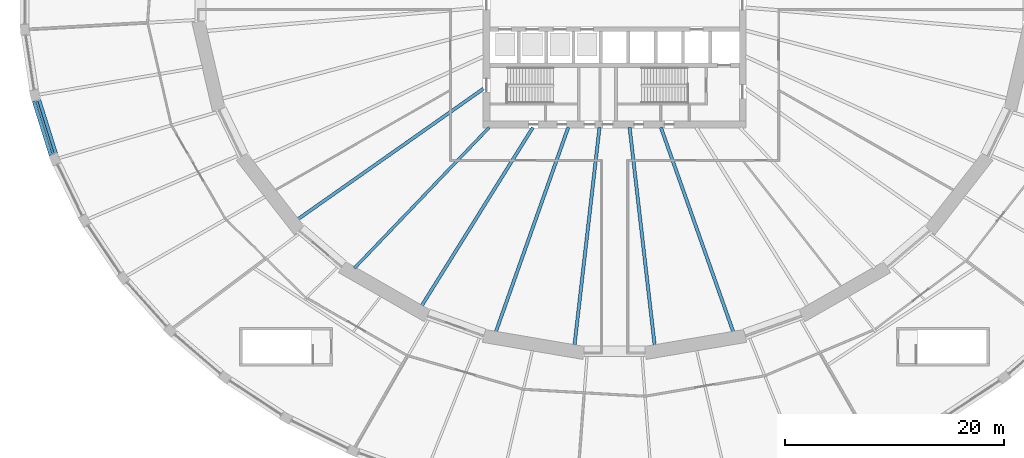
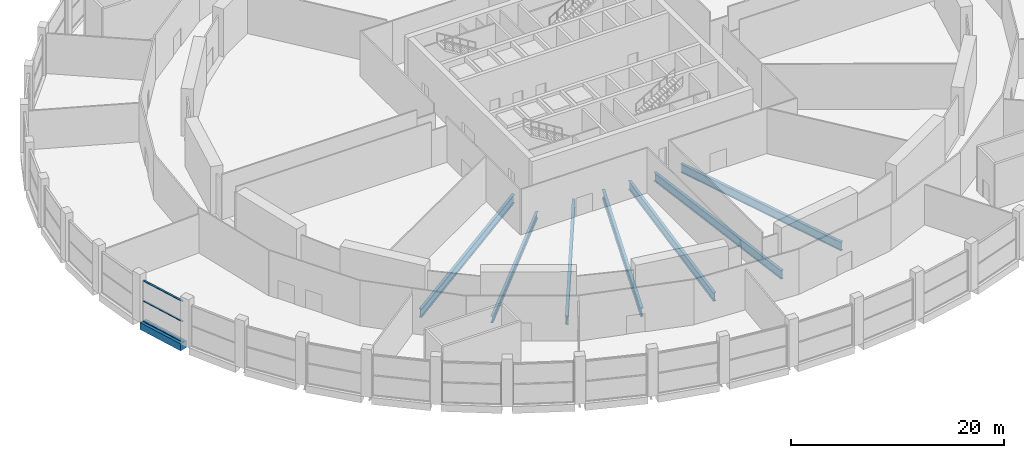
# One storey, part 4 of 26: 8 beams, 3 members, 1 element without a shape of its own.
"""IFC4 building model written with IfcOpenShell, lengths in metres."""

from ifc_helpers import new_model, si_unit, direction, frame, origin, origin_2d, place, context, subcontext, project, spatial, rectangle, i_section, extrude, material, material_profile, profile_set, type_object, element, aggregate, save


model = new_model("IFC4")

# Units and contexts
model_context = context("Model", 3, precision=1e-05, world=origin(), true_north=direction((0.0, 1.0)))
body_context = subcontext(model_context, "Body", "Model", "MODEL_VIEW")
ifc_project = project(units=[si_unit("LENGTHUNIT", "METRE"), si_unit("AREAUNIT", "SQUARE_METRE"), si_unit("VOLUMEUNIT", "CUBIC_METRE"), si_unit("PLANEANGLEUNIT", "RADIAN"), si_unit("MASSUNIT", "GRAM", prefix="KILO")], contexts=[model_context])

# Site, building, storey
site_placement = place(None, origin())
site = spatial("IfcSite", under=ifc_project, at=site_placement, CompositionType="ELEMENT")
building_placement = place(site_placement, origin())
building = spatial("IfcBuilding", under=site, at=building_placement, Name="Halqa Exchange Tower", CompositionType="ELEMENT")
storey_placement = place(building_placement, frame((0.0, 0.0, 18.0)))
storey = spatial("IfcBuildingStorey", under=building, at=storey_placement, Name="L03", CompositionType="ELEMENT", Elevation=18.0)

# Curtain wall, members
ifc_material_1 = material(Name="Anodised aluminium and clear glass", Category="aluminium")
curtain_wall_type = type_object("IfcCurtainWallType", Name="Exchange hall glazing", PredefinedType="NOTDEFINED", material=ifc_material_1)
curtain_wall_placement = place(storey_placement, origin())
curtain_wall = element("IfcCurtainWall", 1, at=curtain_wall_placement, inside=storey, type_object=curtain_wall_type, Name="Exchange hall glazing run P26", PredefinedType="NOTDEFINED")
ifc_material_2 = material(Name="Anodised aluminium", Category="aluminium")
ifc_material_profile_1 = material_profile(ifc_material_2, rectangle(XDim=0.199951171875, YDim=0.070068359375, at=origin_2d()), Name="AL 70x200")
ifc_profile_set_1 = profile_set([ifc_material_profile_1], Name="Anodised aluminium")
member_type = type_object("IfcMemberType", Name="Exchange hall glazing transom 70 x 200", PredefinedType="USERDEFINED", material=ifc_profile_set_1)
member_1_placement = place(storey_placement, frame((-52.79248046875, -9.57666015625, 0.034912109375), z_axis=(0.298305642444, -0.954470399586, 0.0), x_axis=(0.954470399586, 0.298305642444, 0.0)))
member_1 = element("IfcMember", 2, at=member_1_placement, type_object=member_type, Name="P26 transom 1.1", ObjectType="TRANSOM", PredefinedType="USERDEFINED", context=body_context, shape_type="SweptSolid", body=[
    extrude(rectangle(XDim=0.199951171875, YDim=0.070068359375, at=origin_2d()), origin(), (0.0, 0.0, 1.0), 4.989013671875),
])
member_2_placement = place(storey_placement, frame((-52.79248046875, -9.57666015625, 2.35009765625), z_axis=(0.298305642444, -0.954470399586, 0.0), x_axis=(0.954470399586, 0.298305642444, 0.0)))
member_2 = element("IfcMember", 3, at=member_2_placement, type_object=member_type, Name="P26 transom 1.2", ObjectType="TRANSOM", PredefinedType="USERDEFINED", context=body_context, shape_type="SweptSolid", body=[
    extrude(rectangle(XDim=0.199951171875, YDim=0.070068359375, at=origin_2d()), origin(), (0.0, 0.0, 1.0), 4.989013671875),
])
member_3_placement = place(storey_placement, frame((-52.79248046875, -9.57666015625, 4.6650390625), z_axis=(0.298305642444, -0.954470399586, 0.0), x_axis=(0.954470399586, 0.298305642444, 0.0)))
member_3 = element("IfcMember", 4, at=member_3_placement, type_object=member_type, Name="P26 transom 1.3", ObjectType="TRANSOM", PredefinedType="USERDEFINED", context=body_context, shape_type="SweptSolid", body=[
    extrude(rectangle(XDim=0.199951171875, YDim=0.070068359375, at=origin_2d()), origin(), (0.0, 0.0, 1.0), 4.989013671875),
])
aggregate(curtain_wall, [member_1, member_2, member_3])

# Beams
ifc_material_3 = material(Name="Steel S355", Category="steel")
ifc_material_profile_2 = material_profile(ifc_material_3, i_section(OverallWidth=0.300048828125, OverallDepth=0.989990234375, WebThickness=0.0166015625, FlangeThickness=0.031005859375, FilletRadius=0.030029296875, at=origin_2d()), Name="HEA 1000")
ifc_profile_set_2 = profile_set([ifc_material_profile_2], Name="Steel S355")
beam_type_1 = type_object("IfcBeamType", Name="Floor beam HEA 1000", PredefinedType="BEAM", material=ifc_profile_set_2)
beam_1_placement = place(storey_placement, frame((-7.46533203125, -11.971435546875, -0.844970703125), z_axis=(-0.529145823441, -0.848530905468, 0.0), x_axis=(0.848530905468, -0.529145823441, 0.0)))
element("IfcBeam", 5, at=beam_1_placement, inside=storey, type_object=beam_type_1, Name="Radial beam 22", PredefinedType="BEAM", context=body_context, shape_type="SweptSolid", body=[
    extrude(i_section(OverallWidth=0.300048828125, OverallDepth=0.989990234375, WebThickness=0.0166015625, FlangeThickness=0.031005859375, FilletRadius=0.030029296875, at=origin_2d()), origin(), (0.0, 0.0, 1.0), 19.27294921875),
])
ifc_material_profile_3 = material_profile(ifc_material_3, i_section(OverallWidth=0.300048828125, OverallDepth=1.0, WebThickness=0.01904296875, FlangeThickness=0.035888671875, FilletRadius=0.030029296875, at=origin_2d()), Name="HEB 1000")
ifc_profile_set_3 = profile_set([ifc_material_profile_3], Name="Steel S355")
beam_type_2 = type_object("IfcBeamType", Name="Floor beam HEB 1000", PredefinedType="BEAM", material=ifc_profile_set_3)
beam_2_placement = place(storey_placement, frame((-11.972412109375, -8.421875, -0.85009765625), z_axis=(-0.817909911418, -0.575346310325, 0.0), x_axis=(0.575346310325, -0.817909911418, 0.0)))
element("IfcBeam", 6, at=beam_2_placement, inside=storey, type_object=beam_type_2, Name="Radial beam 20", PredefinedType="BEAM", context=body_context, shape_type="SweptSolid", body=[
    extrude(i_section(OverallWidth=0.300048828125, OverallDepth=1.0, WebThickness=0.01904296875, FlangeThickness=0.035888671875, FilletRadius=0.030029296875, at=origin_2d()), origin(), (0.0, 0.0, 1.0), 20.804443359375),
])
beam_3_placement = place(storey_placement, frame((-4.23681640625, -11.971923828125, -0.85009765625), z_axis=(-0.333633039334, -0.942703025913, 0.0), x_axis=(0.942703025913, -0.333633039334, 0.0)))
element("IfcBeam", 7, at=beam_3_placement, inside=storey, type_object=beam_type_2, Name="Radial beam 23", PredefinedType="BEAM", context=body_context, shape_type="SweptSolid", body=[
    extrude(i_section(OverallWidth=0.300048828125, OverallDepth=1.0, WebThickness=0.01904296875, FlangeThickness=0.035888671875, FilletRadius=0.030029296875, at=origin_2d()), origin(), (0.0, 0.0, 1.0), 19.885009765625),
])
for number, where, z_axis, x_axis, name in (
    (8, (-1.375732421875, -11.972900390625, -0.85009765625), (-0.114166838833, -0.99346159106, 0.0), (0.99346159106, -0.114166838833, 0.0), "Radial beam 24"),
    (9, (1.375732421875, -11.972900390625, -0.85009765625), (0.114166838833, -0.99346159106, 0.0), (0.99346159106, 0.114166838833, 0.0), "Radial beam 25"),
):
    element("IfcBeam", number, at=place(storey_placement, frame(where, z_axis=z_axis, x_axis=x_axis)), inside=storey, type_object=beam_type_2, Name=name, PredefinedType="BEAM", context=body_context, shape_type="SweptSolid", body=[
        extrude(i_section(OverallWidth=0.300048828125, OverallDepth=1.0, WebThickness=0.01904296875, FlangeThickness=0.035888671875, FilletRadius=0.030029296875, at=origin_2d()), origin(), (0.0, 0.0, 1.0), 20.103515625),
    ])
beam_4_placement = place(storey_placement, frame((4.23681640625, -11.971923828125, -0.85009765625), z_axis=(0.333633039334, -0.942703025913, 0.0), x_axis=(0.942703025913, 0.333633039334, 0.0)))
element("IfcBeam", 10, at=beam_4_placement, inside=storey, type_object=beam_type_2, Name="Radial beam 26", PredefinedType="BEAM", context=body_context, shape_type="SweptSolid", body=[
    extrude(i_section(OverallWidth=0.300048828125, OverallDepth=1.0, WebThickness=0.01904296875, FlangeThickness=0.035888671875, FilletRadius=0.030029296875, at=origin_2d()), origin(), (0.0, 0.0, 1.0), 19.885009765625),
])
ifc_material_profile_4 = material_profile(ifc_material_3, i_section(OverallWidth=0.26806640625, OverallDepth=0.77001953125, WebThickness=0.015625, FlangeThickness=0.025390625, FilletRadius=0.01708984375, at=origin_2d()), Name="IPE 750x196")
ifc_profile_set_4 = profile_set([ifc_material_profile_4], Name="Steel S355")
beam_type_3 = type_object("IfcBeamType", Name="Floor beam IPE 750x196", PredefinedType="BEAM", material=ifc_profile_set_4)
beam_5_placement = place(storey_placement, frame((-11.46240234375, -11.9716796875, -0.735107421875), z_axis=(-0.6915763718, -0.722303344841, 0.0), x_axis=(0.722303344841, -0.6915763718, 0.0)))
element("IfcBeam", 11, at=beam_5_placement, inside=storey, type_object=beam_type_3, Name="Radial beam 21", PredefinedType="BEAM", context=body_context, shape_type="SweptSolid", body=[
    extrude(i_section(OverallWidth=0.26806640625, OverallDepth=0.77001953125, WebThickness=0.015625, FlangeThickness=0.025390625, FilletRadius=0.01708984375, at=origin_2d()), origin(), (0.0, 0.0, 1.0), 17.7978515625),
])
ifc_material_4 = material(Name="Concrete C60/75", Category="concrete")
ifc_material_profile_5 = material_profile(ifc_material_4, rectangle(XDim=0.800048828125, YDim=0.800048828125, at=origin_2d()), Name="800 x 800")
ifc_profile_set_5 = profile_set([ifc_material_profile_5], Name="Concrete C60/75")
beam_type_4 = type_object("IfcBeamType", Name="RC podium edge beam 800 x 800 C60/75", PredefinedType="SPANDREL", material=ifc_profile_set_5)
beam_6_placement = place(storey_placement, frame((-52.821044921875, -9.4853515625, -0.39990234375), z_axis=(0.298331338153, -0.954462368392, 0.0), x_axis=(0.954462368392, 0.298331338153, 0.0)))
element("IfcBeam", 12, at=beam_6_placement, inside=storey, type_object=beam_type_4, Name="Podium edge beam 26", PredefinedType="SPANDREL", context=body_context, shape_type="SweptSolid", body=[
    extrude(rectangle(XDim=0.800048828125, YDim=0.800048828125, at=origin_2d()), origin(), (0.0, 0.0, 1.0), 5.180908203125),
])

save(model, "model.ifc")
